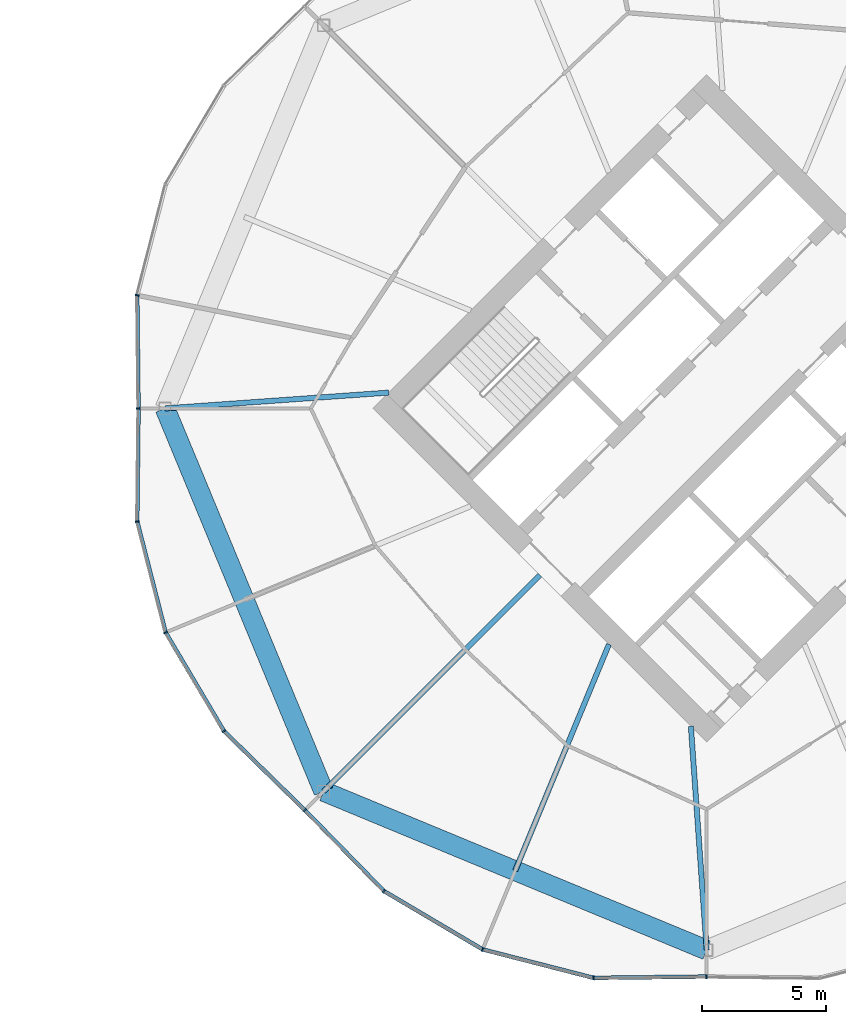
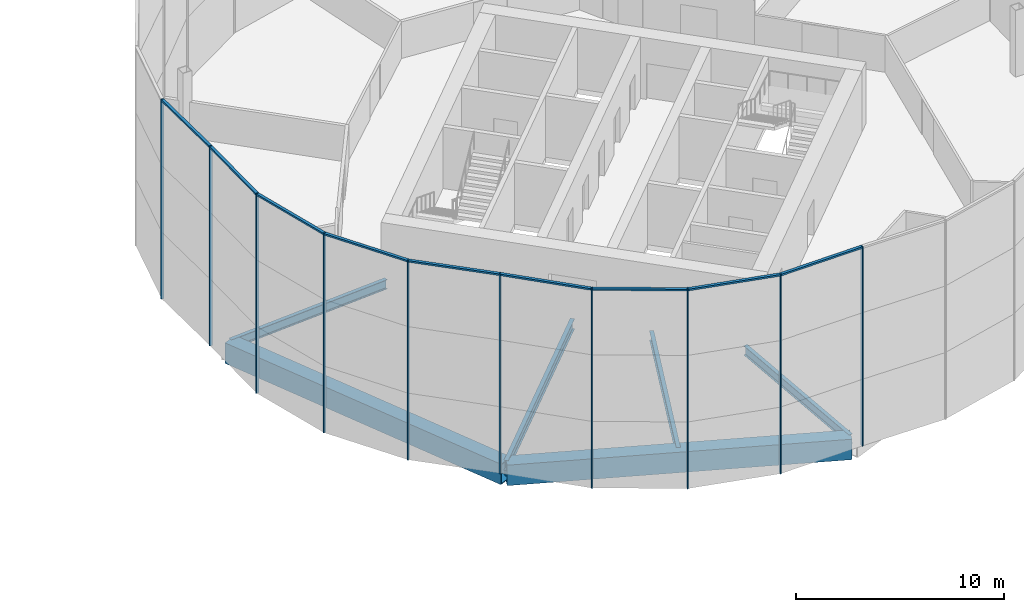
# One storey, part 10 of 25: 19 members, 6 beams, 3 elements without a shape of their own.
"""IFC4 building model written with IfcOpenShell, lengths in metres."""

from ifc_helpers import new_model, si_unit, direction, frame, origin, origin_2d, place, context, subcontext, project, spatial, rectangle, hollow_rectangle, i_section, extrude, material, material_profile, profile_set, type_object, element, aggregate, save


model = new_model("IFC4")

# Units and contexts
model_context = context("Model", 3, precision=1e-05, world=origin(), true_north=direction((0.0, 1.0)))
body_context = subcontext(model_context, "Body", "Model", "MODEL_VIEW")
ifc_project = project(units=[si_unit("LENGTHUNIT", "METRE"), si_unit("AREAUNIT", "SQUARE_METRE"), si_unit("VOLUMEUNIT", "CUBIC_METRE"), si_unit("PLANEANGLEUNIT", "RADIAN"), si_unit("MASSUNIT", "GRAM", prefix="KILO")], contexts=[model_context])

# Site, building, storey
site_placement = place(None, origin())
site = spatial("IfcSite", under=ifc_project, at=site_placement, CompositionType="ELEMENT")
building_placement = place(site_placement, origin())
building = spatial("IfcBuilding", under=site, at=building_placement, Name="Ogive Gate Towers", CompositionType="ELEMENT")
storey_placement = place(building_placement, frame((0.0, 0.0, 44.10009765625)))
storey = spatial("IfcBuildingStorey", under=building, at=storey_placement, Name="L09", CompositionType="ELEMENT", Elevation=44.10009765625)

# Beams
ifc_material_1 = material(Name="Steel SM460", Category="steel")
ifc_material_profile_1 = material_profile(ifc_material_1, hollow_rectangle(XDim=0.800048828125, YDim=1.199951171875, WallThickness=0.050048828125, at=origin_2d()), Name="BX 1200x800x50")
ifc_profile_set_1 = profile_set([ifc_material_profile_1], Name="Steel SM460")
beam_type_1 = type_object("IfcBeamType", Name="Edge girder BX 1200x800x50", PredefinedType="BEAM", material=ifc_profile_set_1)
for number, where, z_axis, x_axis, name in (
    (1, (20.577880859375, -15.422119140625, -0.900146484375), (0.923881893128, -0.382677733282, 0.0), (0.382677733282, 0.923881893128, 0.0), "T2/L09/SBM017"),
    (2, (14.18994140625, 0.0, -0.900146484375), (0.382677733282, -0.923881893128, 0.0), (0.923881893128, 0.382677733282, 0.0), "T2/L09/SBM024"),
):
    element("IfcBeam", number, at=place(storey_placement, frame(where, z_axis=z_axis, x_axis=x_axis)), inside=storey, type_object=beam_type_1, Name=name, PredefinedType="BEAM", context=body_context, shape_type="SweptSolid", body=[
        extrude(hollow_rectangle(XDim=0.800048828125, YDim=1.199951171875, WallThickness=0.050048828125, at=origin_2d()), origin(), (0.0, 0.0, 1.0), 16.692626953125),
    ])
ifc_material_2 = material(Name="Steel SM355", Category="steel")
ifc_material_profile_2 = material_profile(ifc_material_2, i_section(OverallWidth=0.2099609375, OverallDepth=0.550048828125, WebThickness=0.010986328125, FlangeThickness=0.01708984375, FilletRadius=0.02392578125, at=origin_2d()), Name="IPE 550")
ifc_profile_set_2 = profile_set([ifc_material_profile_2], Name="Steel SM355")
beam_type_2 = type_object("IfcBeamType", Name="Radial floor beam IPE 550", PredefinedType="BEAM", material=ifc_profile_set_2)
beam_1_placement = place(storey_placement, frame((32.06494140625, -9.5, -0.5751953125), z_axis=(-0.38267666976, -0.923882333645, 0.0), x_axis=(0.923882333645, -0.38267666976, 0.0)))
element("IfcBeam", 3, at=beam_1_placement, inside=storey, type_object=beam_type_2, Name="T2/L09/SBM002", PredefinedType="BEAM", context=body_context, shape_type="SweptSolid", body=[
    extrude(i_section(OverallWidth=0.2099609375, OverallDepth=0.550048828125, WebThickness=0.010986328125, FlangeThickness=0.01708984375, FilletRadius=0.02392578125, at=origin_2d()), origin(), (0.0, 0.0, 1.0), 9.866943359375),
])
for number, where, z_axis, x_axis, name in (
    (4, (35.363525390625, -12.798583984375, -0.5751953125), (0.070453840617, -0.99751504066, 0.0), (0.99751504066, 0.070453840617, 0.0), "T2/L09/SBM003"),
    (5, (23.201416015625, 0.636474609375, -0.5751953125), (-0.99751504066, -0.070453840617, 0.0), (0.070453840617, -0.99751504066, 0.0), "T2/L09/SBM015"),
):
    element("IfcBeam", number, at=place(storey_placement, frame(where, z_axis=z_axis, x_axis=x_axis)), inside=storey, type_object=beam_type_2, Name=name, PredefinedType="BEAM", context=body_context, shape_type="SweptSolid", body=[
        extrude(i_section(OverallWidth=0.2099609375, OverallDepth=0.550048828125, WebThickness=0.010986328125, FlangeThickness=0.01708984375, FilletRadius=0.02392578125, at=origin_2d()), origin(), (0.0, 0.0, 1.0), 9.033935546875),
    ])
ifc_material_profile_3 = material_profile(ifc_material_2, i_section(OverallWidth=0.219970703125, OverallDepth=0.60009765625, WebThickness=0.011962890625, FlangeThickness=0.01904296875, FilletRadius=0.02392578125, at=origin_2d()), Name="IPE 600")
ifc_profile_set_3 = profile_set([ifc_material_profile_3], Name="Steel SM355")
beam_type_3 = type_object("IfcBeamType", Name="Radial floor beam IPE 600", PredefinedType="BEAM", material=ifc_profile_set_3)
beam_2_placement = place(storey_placement, frame((29.282470703125, -6.717529296875, -0.60009765625), z_axis=(-0.707106781187, -0.707106781187, 0.0), x_axis=(0.707106781187, -0.707106781187, 0.0)))
element("IfcBeam", 6, at=beam_2_placement, inside=storey, type_object=beam_type_3, Name="T2/L09/SBM001", PredefinedType="BEAM", context=body_context, shape_type="SweptSolid", body=[
    extrude(i_section(OverallWidth=0.219970703125, OverallDepth=0.60009765625, WebThickness=0.011962890625, FlangeThickness=0.01904296875, FilletRadius=0.02392578125, at=origin_2d()), origin(), (0.0, 0.0, 1.0), 12.31005859375),
])

# Curtain wall, members
ifc_material_3 = material(Name="Pale metal aluminium", Category="aluminium")
curtain_wall_type = type_object("IfcCurtainWallType", Name="Tower unitised wall, low zone", PredefinedType="NOTDEFINED", material=ifc_material_3)
curtain_wall_1_placement = place(storey_placement, origin())
curtain_wall_1 = element("IfcCurtainWall", 7, at=curtain_wall_1_placement, inside=storey, type_object=curtain_wall_type, Name="CW1 T2 ECW04", PredefinedType="NOTDEFINED")
ifc_material_profile_4 = material_profile(ifc_material_3, rectangle(XDim=0.159912109375, YDim=0.06005859375, at=origin_2d()), Name="60 x 160 aluminium box")
ifc_profile_set_4 = profile_set([ifc_material_profile_4], Name="Pale metal aluminium")
member_type_1 = type_object("IfcMemberType", Name="Tower unitised wall, low zone mullion 60 x 160", PredefinedType="MULLION", material=ifc_profile_set_4)
member_1_placement = place(storey_placement, frame((13.0673828125, 4.555419921875, -0.300048828125), z_axis=(0.0, 0.0, 1.0), x_axis=(-0.992828457767, 0.119547703651, 0.0)))
member_1 = element("IfcMember", 8, at=member_1_placement, type_object=member_type_1, Name="CW1 mullion", PredefinedType="MULLION", context=body_context, shape_type="SweptSolid", body=[
    extrude(rectangle(XDim=0.159912109375, YDim=0.06005859375, at=origin_2d()), origin(), (0.0, 0.0, 1.0), 11.699951171875),
])
member_2_placement = place(storey_placement, frame((13.1201171875, 0.000244140625, -0.300048828125), z_axis=(0.0, 0.0, 1.0), x_axis=(-0.99993385595, -0.011501466179, 0.0)))
member_2 = element("IfcMember", 9, at=member_2_placement, type_object=member_type_1, Name="CW1 mullion", PredefinedType="MULLION", context=body_context, shape_type="SweptSolid", body=[
    extrude(rectangle(XDim=0.159912109375, YDim=0.06005859375, at=origin_2d()), origin(), (0.0, 0.0, 1.0), 11.699951171875),
])

curtain_wall_2_placement = place(storey_placement, origin())
curtain_wall_2 = element("IfcCurtainWall", 10, at=curtain_wall_2_placement, inside=storey, type_object=curtain_wall_type, Name="CW1 T2 ECW05", PredefinedType="NOTDEFINED")
member_3_placement = place(storey_placement, frame((13.0673828125, -4.555419921875, -0.300048828125), z_axis=(0.0, 0.0, 1.0), x_axis=(-0.992828457767, -0.119547703651, 0.0)))
member_3 = element("IfcMember", 11, at=member_3_placement, type_object=member_type_1, Name="CW1 mullion", PredefinedType="MULLION", context=body_context, shape_type="SweptSolid", body=[
    extrude(rectangle(XDim=0.159912109375, YDim=0.06005859375, at=origin_2d()), origin(), (0.0, 0.0, 1.0), 11.699951171875),
])
member_4_placement = place(storey_placement, frame((14.214111328125, -9.02392578125, -0.300048828125), z_axis=(0.0, 0.0, 1.0), x_axis=(-0.923879532511, -0.382683432365, 0.0)))
member_4 = element("IfcMember", 12, at=member_4_placement, type_object=member_type_1, Name="CW1 mullion", PredefinedType="MULLION", context=body_context, shape_type="SweptSolid", body=[
    extrude(rectangle(XDim=0.159912109375, YDim=0.06005859375, at=origin_2d()), origin(), (0.0, 0.0, 1.0), 11.699951171875),
])
member_5_placement = place(storey_placement, frame((16.56298828125, -12.99462890625, -0.300048828125), z_axis=(0.0, 0.0, 1.0), x_axis=(-0.786557949393, -0.617516471235, 0.0)))
member_5 = element("IfcMember", 13, at=member_5_placement, type_object=member_type_1, Name="CW1 mullion", PredefinedType="MULLION", context=body_context, shape_type="SweptSolid", body=[
    extrude(rectangle(XDim=0.159912109375, YDim=0.06005859375, at=origin_2d()), origin(), (0.0, 0.0, 1.0), 11.699951171875),
])
member_6_placement = place(storey_placement, frame((19.8212890625, -16.178466796875, -0.300048828125), z_axis=(0.0, 0.0, 1.0), x_axis=(-0.698914762976, -0.715204973482, 0.0)))
member_6 = element("IfcMember", 14, at=member_6_placement, type_object=member_type_1, Name="CW1 mullion", PredefinedType="MULLION", context=body_context, shape_type="SweptSolid", body=[
    extrude(rectangle(XDim=0.159912109375, YDim=0.06005859375, at=origin_2d()), origin(), (0.0, 0.0, 1.0), 11.699951171875),
])

curtain_wall_3_placement = place(storey_placement, origin())
curtain_wall_3 = element("IfcCurtainWall", 15, at=curtain_wall_3_placement, inside=storey, type_object=curtain_wall_type, Name="CW1 T2 ECW06", PredefinedType="NOTDEFINED")
member_7_placement = place(storey_placement, frame((23.00537109375, -19.43701171875, -0.300048828125), z_axis=(0.0, 0.0, 1.0), x_axis=(-0.617516471235, -0.786557949393, 0.0)))
member_7 = element("IfcMember", 16, at=member_7_placement, type_object=member_type_1, Name="CW1 mullion", PredefinedType="MULLION", context=body_context, shape_type="SweptSolid", body=[
    extrude(rectangle(XDim=0.159912109375, YDim=0.06005859375, at=origin_2d()), origin(), (0.0, 0.0, 1.0), 11.699951171875),
])
member_8_placement = place(storey_placement, frame((26.97607421875, -21.785888671875, -0.300048828125), z_axis=(0.0, 0.0, 1.0), x_axis=(-0.382683432365, -0.923879532511, 0.0)))
member_8 = element("IfcMember", 17, at=member_8_placement, type_object=member_type_1, Name="CW1 mullion", PredefinedType="MULLION", context=body_context, shape_type="SweptSolid", body=[
    extrude(rectangle(XDim=0.159912109375, YDim=0.06005859375, at=origin_2d()), origin(), (0.0, 0.0, 1.0), 11.699951171875),
])
member_9_placement = place(storey_placement, frame((31.444580078125, -22.9326171875, -0.300048828125), z_axis=(0.0, 0.0, 1.0), x_axis=(-0.119547703651, -0.992828457767, 0.0)))
member_9 = element("IfcMember", 18, at=member_9_placement, type_object=member_type_1, Name="CW1 mullion", PredefinedType="MULLION", context=body_context, shape_type="SweptSolid", body=[
    extrude(rectangle(XDim=0.159912109375, YDim=0.06005859375, at=origin_2d()), origin(), (0.0, 0.0, 1.0), 11.699951171875),
])
member_10_placement = place(storey_placement, frame((35.999755859375, -22.8798828125, -0.300048828125), z_axis=(0.0, 0.0, 1.0), x_axis=(0.011501466179, -0.99993385595, 0.0)))
member_10 = element("IfcMember", 19, at=member_10_placement, type_object=member_type_1, Name="CW1 mullion", PredefinedType="MULLION", context=body_context, shape_type="SweptSolid", body=[
    extrude(rectangle(XDim=0.159912109375, YDim=0.06005859375, at=origin_2d()), origin(), (0.0, 0.0, 1.0), 11.699951171875),
])

# Member
ifc_material_profile_5 = material_profile(ifc_material_3, rectangle(XDim=0.159912109375, YDim=0.10009765625, at=origin_2d()), Name="100 x 160 aluminium box")
ifc_profile_set_5 = profile_set([ifc_material_profile_5], Name="Pale metal aluminium")
member_type_2 = type_object("IfcMemberType", Name="Tower unitised wall, low zone transom 100 x 160", PredefinedType="USERDEFINED", material=ifc_profile_set_5)
member_11_placement = place(storey_placement, frame((13.06787109375, 4.52783203125, 11.349853515625), z_axis=(0.011507217644, -0.999933789779, 0.0), x_axis=(0.999933789779, 0.011507217644, 0.0)))
member_11 = element("IfcMember", 20, at=member_11_placement, type_object=member_type_2, Name="CW1 transom", ObjectType="TRANSOM", PredefinedType="USERDEFINED", context=body_context, shape_type="SweptSolid", body=[
    extrude(rectangle(XDim=0.159912109375, YDim=0.10009765625, at=origin_2d()), origin(), (0.0, 0.0, 1.0), 4.497802734375),
])

aggregate(curtain_wall_1, [member_1, member_2, member_11])

member_12_placement = place(storey_placement, frame((13.11962890625, -0.0302734375, 11.349853515625), z_axis=(-0.011507217644, -0.999933789779, 0.0), x_axis=(0.999933789779, -0.011507217644, 0.0)))
member_12 = element("IfcMember", 21, at=member_12_placement, type_object=member_type_2, Name="CW1 transom", ObjectType="TRANSOM", PredefinedType="USERDEFINED", context=body_context, shape_type="SweptSolid", body=[
    extrude(rectangle(XDim=0.159912109375, YDim=0.10009765625, at=origin_2d()), origin(), (0.0, 0.0, 1.0), 4.497802734375),
])

member_13_placement = place(storey_placement, frame((13.074462890625, -4.581787109375, 11.349853515625), z_axis=(0.248528665272, -0.968624541573, 0.0), x_axis=(0.968624541573, 0.248528665272, 0.0)))
member_13 = element("IfcMember", 22, at=member_13_placement, type_object=member_type_2, Name="CW1 transom", ObjectType="TRANSOM", PredefinedType="USERDEFINED", context=body_context, shape_type="SweptSolid", body=[
    extrude(rectangle(XDim=0.159912109375, YDim=0.10009765625, at=origin_2d()), origin(), (0.0, 0.0, 1.0), 4.55908203125),
])

member_14_placement = place(storey_placement, frame((14.22802734375, -9.04736328125, 11.349853515625), z_axis=(0.509162247651, -0.860670555769, 0.0), x_axis=(0.860670555769, 0.509162247651, 0.0)))
member_14 = element("IfcMember", 23, at=member_14_placement, type_object=member_type_2, Name="CW1 transom", ObjectType="TRANSOM", PredefinedType="USERDEFINED", context=body_context, shape_type="SweptSolid", body=[
    extrude(rectangle(XDim=0.159912109375, YDim=0.10009765625, at=origin_2d()), origin(), (0.0, 0.0, 1.0), 4.55908203125),
])

member_15_placement = place(storey_placement, frame((16.582763671875, -13.013916015625, 11.349853515625), z_axis=(0.715228515951, -0.698890670971, 0.0), x_axis=(0.698890670971, 0.715228515951, 0.0)))
member_15 = element("IfcMember", 24, at=member_15_placement, type_object=member_type_2, Name="CW1 transom", ObjectType="TRANSOM", PredefinedType="USERDEFINED", context=body_context, shape_type="SweptSolid", body=[
    extrude(rectangle(XDim=0.159912109375, YDim=0.10009765625, at=origin_2d()), origin(), (0.0, 0.0, 1.0), 4.497802734375),
])

aggregate(curtain_wall_2, [member_3, member_12, member_4, member_13, member_5, member_14, member_6, member_15])

member_16_placement = place(storey_placement, frame((19.842529296875, -16.2001953125, 11.349853515625), z_axis=(0.698890670971, -0.715228515951, 0.0), x_axis=(0.715228515951, 0.698890670971, 0.0)))
member_16 = element("IfcMember", 25, at=member_16_placement, type_object=member_type_2, Name="CW1 transom", ObjectType="TRANSOM", PredefinedType="USERDEFINED", context=body_context, shape_type="SweptSolid", body=[
    extrude(rectangle(XDim=0.159912109375, YDim=0.10009765625, at=origin_2d()), origin(), (0.0, 0.0, 1.0), 4.497802734375),
])

member_17_placement = place(storey_placement, frame((23.02880859375, -19.45068359375, 11.349853515625), z_axis=(0.860670555769, -0.509162247651, 0.0), x_axis=(0.509162247651, 0.860670555769, 0.0)))
member_17 = element("IfcMember", 26, at=member_17_placement, type_object=member_type_2, Name="CW1 transom", ObjectType="TRANSOM", PredefinedType="USERDEFINED", context=body_context, shape_type="SweptSolid", body=[
    extrude(rectangle(XDim=0.159912109375, YDim=0.10009765625, at=origin_2d()), origin(), (0.0, 0.0, 1.0), 4.55908203125),
])

member_18_placement = place(storey_placement, frame((27.002197265625, -21.79248046875, 11.349853515625), z_axis=(0.968624541573, -0.248528665272, 0.0), x_axis=(0.248528665272, 0.968624541573, 0.0)))
member_18 = element("IfcMember", 27, at=member_18_placement, type_object=member_type_2, Name="CW1 transom", ObjectType="TRANSOM", PredefinedType="USERDEFINED", context=body_context, shape_type="SweptSolid", body=[
    extrude(rectangle(XDim=0.159912109375, YDim=0.10009765625, at=origin_2d()), origin(), (0.0, 0.0, 1.0), 4.55908203125),
])

member_19_placement = place(storey_placement, frame((31.47216796875, -22.93212890625, 11.349853515625), z_axis=(0.999933789779, 0.011507217644, 0.0), x_axis=(-0.011507217644, 0.999933789779, 0.0)))
member_19 = element("IfcMember", 28, at=member_19_placement, type_object=member_type_2, Name="CW1 transom", ObjectType="TRANSOM", PredefinedType="USERDEFINED", context=body_context, shape_type="SweptSolid", body=[
    extrude(rectangle(XDim=0.159912109375, YDim=0.10009765625, at=origin_2d()), origin(), (0.0, 0.0, 1.0), 4.497802734375),
])

aggregate(curtain_wall_3, [member_7, member_16, member_8, member_17, member_9, member_18, member_10, member_19])

save(model, "model.ifc")
